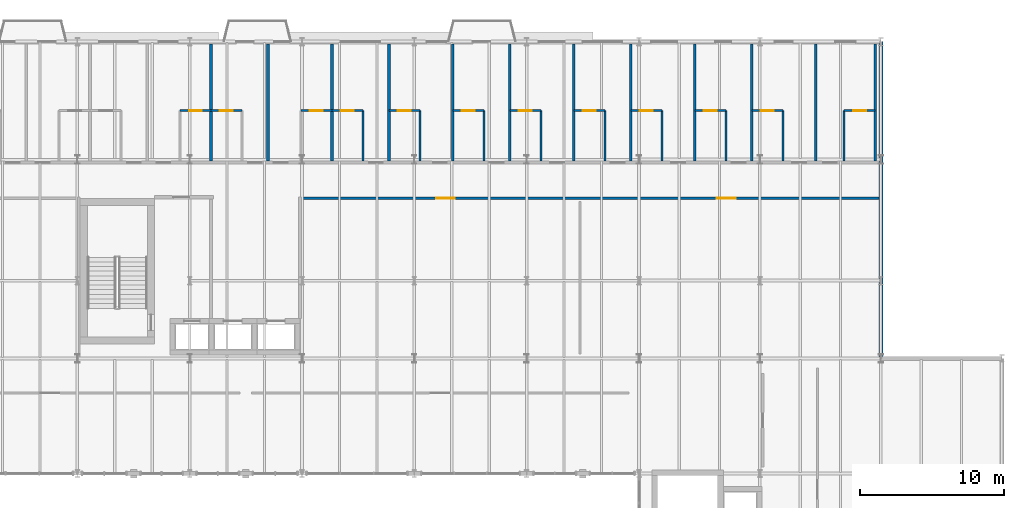
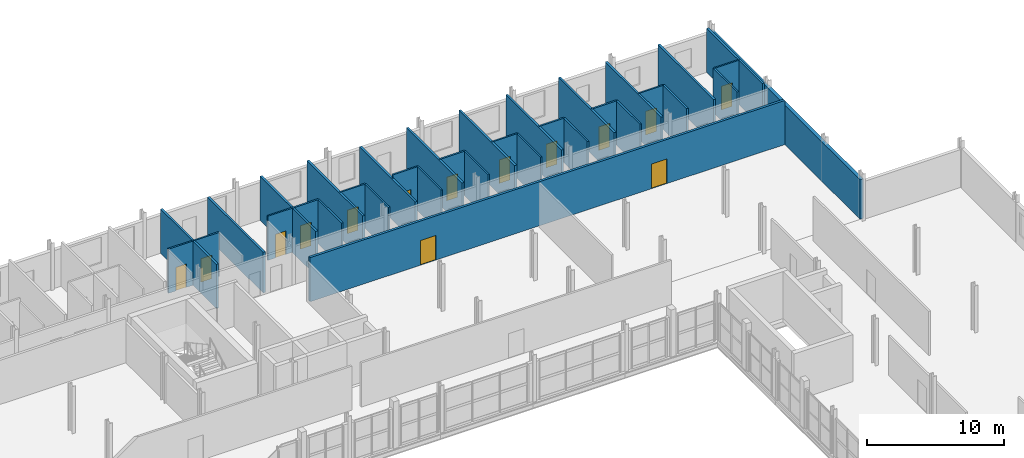
# One storey, part 39 of 45: 35 walls, 14 doors, 14 openings.
"""IFC4 building model written with IfcOpenShell, lengths in metres."""

import ifcopenshell
import ifcopenshell.guid

model = None  # the IFC model being written
_history = None  # IfcOwnerHistory: only IFC2X3 demands one
_inside = {}  # id of a spatial element -> (the spatial element, [elements in it])
_under = {}  # id of a project, library or spatial element -> (it, [spatial elements below it])
_declared = {}  # id of a project -> (the project, [libraries it declares])
_typed = {}  # id of a type object -> (the type object, [elements of that type])
_made_of = {}  # id of a material, layer set ... -> (it, [elements and type objects made of it])


def new_model(schema):
    """Start an empty IFC model of exactly this schema.

    Asked for "IFC4X3", IfcOpenShell would pick the latest addendum, in which some entities
    have other attributes; the version numbers below select the first issue.
    IFC2X3 requires an IfcOwnerHistory on every rooted entity: one is made here for all.
    """
    global model, _history
    if schema == "IFC4X3":
        model = ifcopenshell.file(schema_version=(4, 3, 0, 0))
    else:
        model = ifcopenshell.file(schema=schema)
    _inside.clear()
    _under.clear()
    _declared.clear()
    _typed.clear()
    _made_of.clear()
    _history = None
    if model.schema == "IFC2X3":
        org = make("IfcOrganization", Name="unknown")
        user = make(
            "IfcPersonAndOrganization",
            ThePerson=make("IfcPerson", FamilyName="unknown"),
            TheOrganization=org,
        )
        app = make(
            "IfcApplication",
            ApplicationDeveloper=org,
            Version="unknown",
            ApplicationFullName="unknown",
            ApplicationIdentifier="unknown",
        )
        _history = make(
            "IfcOwnerHistory",
            OwningUser=user,
            OwningApplication=app,
            ChangeAction="ADDED",
            CreationDate=0,
        )
    return model


def make(cls, **values):
    """One entity of the class cls with the attributes given. An attribute that is None is left unset."""
    return model.create_entity(
        cls, **{name: value for name, value in values.items() if value is not None}
    )


def rooted(cls, **values):
    """An entity with a GlobalId (a new one), such as an element, a storey or a relation."""
    return make(cls, GlobalId=ifcopenshell.guid.new(), OwnerHistory=_history, **values)


def si_unit(unit_type, name, prefix=None):
    """IfcSIUnit, for example si_unit("LENGTHUNIT", "METRE", prefix="MILLI")."""
    return make("IfcSIUnit", UnitType=unit_type, Prefix=prefix, Name=name)


def assignment(units):
    """IfcUnitAssignment: the units of a project."""
    return None if units is None else make("IfcUnitAssignment", Units=units)


def point(xyz):
    """IfcCartesianPoint."""
    return None if xyz is None else make("IfcCartesianPoint", Coordinates=xyz)


def direction(xyz):
    """IfcDirection."""
    return None if xyz is None else make("IfcDirection", DirectionRatios=xyz)


def frame(location, z_axis=None, x_axis=None):
    """IfcAxis2Placement3D, a coordinate frame: its origin and axes. An axis left out is left unset."""
    return make(
        "IfcAxis2Placement3D",
        Location=point(location),
        Axis=direction(z_axis),
        RefDirection=direction(x_axis),
    )


def frame_2d(location, x_axis=None):
    """IfcAxis2Placement2D, a coordinate frame in the plane: its origin and x axis."""
    return make(
        "IfcAxis2Placement2D", Location=point(location), RefDirection=direction(x_axis)
    )


def origin():
    """The frame at (0, 0, 0) with its axes left unset."""
    return frame((0.0, 0.0, 0.0))


def place(relative_to, where):
    """IfcLocalPlacement: puts the frame where relative to a parent placement (None: the world)."""
    return make(
        "IfcLocalPlacement", PlacementRelTo=relative_to, RelativePlacement=where
    )


def context(
    kind, dimensions, precision=None, world=None, true_north=None, identifier=None
):
    """IfcGeometricRepresentationContext, for example the 3D "Model" context."""
    return make(
        "IfcGeometricRepresentationContext",
        ContextIdentifier=identifier,
        ContextType=kind,
        CoordinateSpaceDimension=dimensions,
        Precision=precision,
        WorldCoordinateSystem=world,
        TrueNorth=true_north,
    )


def subcontext(parent, identifier, kind, view, scale=None):
    """IfcGeometricRepresentationSubContext, for example "Body" below "Model"."""
    return make(
        "IfcGeometricRepresentationSubContext",
        ContextIdentifier=identifier,
        ContextType=kind,
        ParentContext=parent,
        TargetScale=scale,
        TargetView=view,
    )


def project(units=None, contexts=None):
    """IfcProject with its units and contexts."""
    return rooted(
        "IfcProject",
        Name="project",
        RepresentationContexts=contexts,
        UnitsInContext=assignment(units),
    )


def spatial(cls, under=None, at=None, **own):
    """A site, building, storey or space (cls), placed at a placement, below another one or the project."""
    s = rooted(cls, ObjectPlacement=at, **own)
    if under is not None:
        _under.setdefault(under.id(), (under, []))[1].append(s)
    return s


def profile(cls, at=None, kind="AREA", **sizes):
    """A parametric profile (cls). Its sizes go by their IFC names, for example OverallWidth=200.0."""
    return make(cls, ProfileType=kind, Position=at, **sizes)


def rectangle(**sizes):
    """IfcRectangleProfileDef."""
    return profile("IfcRectangleProfileDef", **sizes)


def extrude(swept, where, along, depth):
    """IfcExtrudedAreaSolid: the profile swept, set in the frame where, extruded along a direction by depth."""
    return make(
        "IfcExtrudedAreaSolid",
        SweptArea=swept,
        Position=where,
        ExtrudedDirection=direction(along),
        Depth=depth,
    )


def shape(context_of_items, identifier, shape_type, items):
    """IfcShapeRepresentation: the items that make up one representation, for example the "Body"."""
    return make(
        "IfcShapeRepresentation",
        ContextOfItems=context_of_items,
        RepresentationIdentifier=identifier,
        RepresentationType=shape_type,
        Items=items,
    )


def material(Name=None, Category=None):
    """IfcMaterial."""
    return make("IfcMaterial", Name=Name, Category=Category)


def layer(
    of_material, thickness, ventilated=None, Name=None, Category=None, Priority=None
):
    """IfcMaterialLayer: one layer of a wall or slab, of a material (None: an air gap)."""
    return make(
        "IfcMaterialLayer",
        Material=of_material,
        LayerThickness=thickness,
        IsVentilated=ventilated,
        Name=Name,
        Category=Category,
        Priority=Priority,
    )


def layer_set(layers, Name=None):
    """IfcMaterialLayerSet."""
    return make("IfcMaterialLayerSet", MaterialLayers=layers, LayerSetName=Name)


def made_of(thing, what):
    """Note that an element or type object is made of a material, layer set ...; save() writes the relation."""
    if what is not None:
        _made_of.setdefault(what.id(), (what, []))[1].append(thing)
    return thing


def type_object(cls, material=None, **own):
    """A type object (cls), such as IfcWallType, which elements share."""
    return made_of(rooted(cls, **own), material)


def element(
    cls,
    number,
    at=None,
    inside=None,
    cuts=None,
    type_object=None,
    material=None,
    context=None,
    identifier="Body",
    shape_type=None,
    held_by="IfcProductDefinitionShape",
    body=None,
    shapes=None,
    **own,
):
    """One element of the class cls, such as IfcWall. Its Tag is "e" and its number.

    at: its placement. inside: the storey or other place that contains it. cuts: it is an
    opening in that element (IfcRelVoidsElement). A single representation is given by context,
    identifier, shape_type and body (its items); several are given by shapes. held_by: the class
    of the entity that holds the representations. save() writes the other relations.
    """
    e = rooted(cls, Tag="e%d" % number, ObjectPlacement=at, **own)
    if body is not None:
        shapes = [shape(context, identifier, shape_type, body)]
    if shapes is not None:
        e.Representation = make(held_by, Representations=shapes)
    if inside is not None:
        _inside.setdefault(inside.id(), (inside, []))[1].append(e)
    if cuts is not None:
        rooted(
            "IfcRelVoidsElement", RelatingBuildingElement=cuts, RelatedOpeningElement=e
        )
    if type_object is not None:
        _typed.setdefault(type_object.id(), (type_object, []))[1].append(e)
    return made_of(e, material)


def fill(opening, filler):
    """IfcRelFillsElement: the door or window that sits in an opening."""
    return rooted(
        "IfcRelFillsElement",
        RelatingOpeningElement=opening,
        RelatedBuildingElement=filler,
    )


def aggregate(whole, parts):
    """IfcRelAggregates: a whole, such as a stair, and the parts it consists of."""
    return rooted("IfcRelAggregates", RelatingObject=whole, RelatedObjects=parts)


def save(model, path):
    """Write the relations noted so far, then the file.

    IfcRelAggregates (storeys below a building ...), IfcRelContainedInSpatialStructure (elements
    in a storey), IfcRelDefinesByType, IfcRelAssociatesMaterial and IfcRelDeclares: one each for
    every whole, place, type object, material and project.
    """
    for whole, parts in _under.values():
        aggregate(whole, parts)
    for where, things in _inside.values():
        rooted(
            "IfcRelContainedInSpatialStructure",
            RelatedElements=things,
            RelatingStructure=where,
        )
    for kind, things in _typed.values():
        rooted("IfcRelDefinesByType", RelatedObjects=things, RelatingType=kind)
    for what, things in _made_of.values():
        rooted("IfcRelAssociatesMaterial", RelatedObjects=things, RelatingMaterial=what)
    for by, libraries in _declared.values():
        rooted("IfcRelDeclares", RelatingContext=by, RelatedDefinitions=libraries)
    model.write(path)


model = new_model("IFC4")

# Units and contexts
model_context = context("Model", 3, precision=1e-05, world=origin(), true_north=direction((0.0, 1.0)))
body_context = subcontext(model_context, "Body", "Model", "MODEL_VIEW")
ifc_project = project(units=[si_unit("LENGTHUNIT", "METRE"), si_unit("AREAUNIT", "SQUARE_METRE"), si_unit("VOLUMEUNIT", "CUBIC_METRE"), si_unit("PLANEANGLEUNIT", "RADIAN"), si_unit("MASSUNIT", "GRAM", prefix="KILO")], contexts=[model_context])

# Site, building, storey
site_placement = place(None, origin())
site = spatial("IfcSite", under=ifc_project, at=site_placement, CompositionType="ELEMENT")
building_placement = place(site_placement, origin())
building = spatial("IfcBuilding", under=site, at=building_placement, Name="Sefraquen Railside Congress Hotel", CompositionType="ELEMENT")
storey_placement = place(building_placement, frame((0.0, 0.0, 20.39990234375)))
storey = spatial("IfcBuildingStorey", under=building, at=storey_placement, Name="L04", CompositionType="ELEMENT", Elevation=20.39990234375)

# Wall
ifc_material_1 = material(Name="Ochre Rabat calcarenite limestone and Concrete C40/50 backing", Category="masonry")
ifc_layer_1 = layer(ifc_material_1, 0.280029296875)
ifc_layer_set_1 = layer_set([ifc_layer_1], Name="Ochre Rabat calcarenite limestone and Concrete C40/50 backing")
wall_type_1 = type_object("IfcWallType", Name="TW-EW-280", PredefinedType="STANDARD", material=ifc_layer_set_1)
wall_1_placement = place(storey_placement, frame((120.0, 96.0, 0.0), z_axis=(0.0, 0.0, 1.0), x_axis=(0.0, 1.0, 0.0)))
element("IfcWall", 1, at=wall_1_placement, inside=storey, type_object=wall_type_1, Name="Hotel L04 east gable facade wall", PredefinedType="STANDARD", context=body_context, shape_type="SweptSolid", body=[
    extrude(rectangle(XDim=22.0, YDim=0.280029296875, at=frame_2d((11.0, 0.0))), origin(), (0.0, 0.0, 1.0), 3.530029296875),
])

# Wall, opening, door
ifc_material_2 = material(Name="Moisture-resistant gypsum board", Category="gypsum")
ifc_layer_2 = layer(ifc_material_2, 0.139892578125)
ifc_layer_set_2 = layer_set([ifc_layer_2], Name="Moisture-resistant gypsum board")
wall_type_2 = type_object("IfcWallType", Name="TW-PW-140", PredefinedType="PARTITIONING", material=ifc_layer_set_2)
wall_2_placement = place(storey_placement, frame((71.330078125, 113.199951171875, 0.0), z_axis=(0.0, 0.0, 1.0), x_axis=(1.0, 0.0, 0.0)))
wall_2 = element("IfcWall", 2, at=wall_2_placement, inside=storey, type_object=wall_type_2, Name="En-suite bathroom north wall RM-012", PredefinedType="PARTITIONING", context=body_context, shape_type="SweptSolid", body=[
    extrude(rectangle(XDim=2.14990234375, YDim=0.139892578125, at=frame_2d((1.074951171875, 0.0))), origin(), (0.0, 0.0, 1.0), 3.940185546875),
])
opening_1_placement = place(wall_2_placement, frame((0.625, 0.0, 0.0)))
opening_1 = element("IfcOpeningElement", 3, at=opening_1_placement, cuts=wall_2, Name="Opening ID-02", PredefinedType="OPENING", context=body_context, shape_type="SweptSolid", body=[
    extrude(rectangle(XDim=0.89990234375, YDim=2.10009765625, at=frame_2d((0.449951171875, 1.050048828125))), frame((0.0, 0.079833984375, 0.0), z_axis=(0.0, -1.0, 0.0), x_axis=(1.0, 0.0, 0.0)), (0.0, 0.0, 1.0), 0.159912109375),
])
ifc_material_3 = material(Name="Lacquered cedar joinery", Category="wood")
door_type_1 = type_object("IfcDoorType", Name="TD-ID-02", OperationType="NOTDEFINED", PredefinedType="DOOR", material=ifc_material_3)
door_1_placement = place(opening_1_placement, origin())
door_1 = element("IfcDoor", 4, at=door_1_placement, inside=storey, type_object=door_type_1, Name="En-suite bathroom door RM-012", OperationType="SINGLE_SWING_RIGHT", OverallHeight=2.10009765625, OverallWidth=0.89990234375, PredefinedType="DOOR", context=body_context, shape_type="SweptSolid", body=[
    extrude(rectangle(XDim=0.89990234375, YDim=2.10009765625, at=frame_2d((0.449951171875, 1.050048828125))), frame((0.0, 0.02490234375, 0.0), z_axis=(0.0, -1.0, 0.0), x_axis=(1.0, 0.0, 0.0)), (0.0, 0.0, 1.0), 0.050048828125),
])
fill(opening_1, door_1)

wall_3_placement = place(storey_placement, frame((73.47998046875, 113.199951171875, 0.0), z_axis=(0.0, 0.0, 1.0), x_axis=(1.0, 0.0, 0.0)))
wall_3 = element("IfcWall", 5, at=wall_3_placement, inside=storey, type_object=wall_type_2, Name="En-suite bathroom north wall RM-013", PredefinedType="PARTITIONING", context=body_context, shape_type="SweptSolid", body=[
    extrude(rectangle(XDim=2.14990234375, YDim=0.139892578125, at=frame_2d((1.074951171875, 0.0))), origin(), (0.0, 0.0, 1.0), 3.940185546875),
])
opening_2_placement = place(wall_3_placement, frame((0.625, 0.0, 0.0)))
opening_2 = element("IfcOpeningElement", 6, at=opening_2_placement, cuts=wall_3, Name="Opening ID-02", PredefinedType="OPENING", context=body_context, shape_type="SweptSolid", body=[
    extrude(rectangle(XDim=0.89990234375, YDim=2.10009765625, at=frame_2d((0.449951171875, 1.050048828125))), frame((0.0, 0.079833984375, 0.0), z_axis=(0.0, -1.0, 0.0), x_axis=(1.0, 0.0, 0.0)), (0.0, 0.0, 1.0), 0.159912109375),
])
door_2_placement = place(opening_2_placement, origin())
door_2 = element("IfcDoor", 7, at=door_2_placement, inside=storey, type_object=door_type_1, Name="En-suite bathroom door RM-013", OperationType="SINGLE_SWING_RIGHT", OverallHeight=2.10009765625, OverallWidth=0.89990234375, PredefinedType="DOOR", context=body_context, shape_type="SweptSolid", body=[
    extrude(rectangle(XDim=0.89990234375, YDim=2.10009765625, at=frame_2d((0.449951171875, 1.050048828125))), frame((0.0, 0.02490234375, 0.0), z_axis=(0.0, -1.0, 0.0), x_axis=(1.0, 0.0, 0.0)), (0.0, 0.0, 1.0), 0.050048828125),
])
fill(opening_2, door_2)

wall_4_placement = place(storey_placement, frame((79.72998046875, 113.199951171875, 0.0), z_axis=(0.0, 0.0, 1.0), x_axis=(1.0, 0.0, 0.0)))
wall_4 = element("IfcWall", 8, at=wall_4_placement, inside=storey, type_object=wall_type_2, Name="En-suite bathroom north wall RM-014", PredefinedType="PARTITIONING", context=body_context, shape_type="SweptSolid", body=[
    extrude(rectangle(XDim=2.14990234375, YDim=0.139892578125, at=frame_2d((1.074951171875, 0.0))), origin(), (0.0, 0.0, 1.0), 3.940185546875),
])
opening_3_placement = place(wall_4_placement, frame((0.625, 0.0, 0.0)))
opening_3 = element("IfcOpeningElement", 9, at=opening_3_placement, cuts=wall_4, Name="Opening ID-02", PredefinedType="OPENING", context=body_context, shape_type="SweptSolid", body=[
    extrude(rectangle(XDim=0.89990234375, YDim=2.10009765625, at=frame_2d((0.449951171875, 1.050048828125))), frame((0.0, 0.079833984375, 0.0), z_axis=(0.0, -1.0, 0.0), x_axis=(1.0, 0.0, 0.0)), (0.0, 0.0, 1.0), 0.159912109375),
])
door_3_placement = place(opening_3_placement, origin())
door_3 = element("IfcDoor", 10, at=door_3_placement, inside=storey, type_object=door_type_1, Name="En-suite bathroom door RM-014", OperationType="SINGLE_SWING_RIGHT", OverallHeight=2.10009765625, OverallWidth=0.89990234375, PredefinedType="DOOR", context=body_context, shape_type="SweptSolid", body=[
    extrude(rectangle(XDim=0.89990234375, YDim=2.10009765625, at=frame_2d((0.449951171875, 1.050048828125))), frame((0.0, 0.02490234375, 0.0), z_axis=(0.0, -1.0, 0.0), x_axis=(1.0, 0.0, 0.0)), (0.0, 0.0, 1.0), 0.050048828125),
])
fill(opening_3, door_3)

# Wall
wall_5_placement = place(storey_placement, frame((84.030029296875, 109.699951171875, 0.0), z_axis=(0.0, 0.0, 1.0), x_axis=(0.0, 1.0, 0.0)))
element("IfcWall", 11, at=wall_5_placement, inside=storey, type_object=wall_type_2, Name="En-suite bathroom east wall RM-015", PredefinedType="PARTITIONING", context=body_context, shape_type="SweptSolid", body=[
    extrude(rectangle(XDim=3.5, YDim=0.139892578125, at=frame_2d((1.75, 0.0))), origin(), (0.0, 0.0, 1.0), 3.940185546875),
])

# Wall, opening, door
wall_6_placement = place(storey_placement, frame((81.8798828125, 113.199951171875, 0.0), z_axis=(0.0, 0.0, 1.0), x_axis=(1.0, 0.0, 0.0)))
wall_6 = element("IfcWall", 12, at=wall_6_placement, inside=storey, type_object=wall_type_2, Name="En-suite bathroom north wall RM-015", PredefinedType="PARTITIONING", context=body_context, shape_type="SweptSolid", body=[
    extrude(rectangle(XDim=2.150146484375, YDim=0.139892578125, at=frame_2d((1.0751953125, 0.0))), origin(), (0.0, 0.0, 1.0), 3.940185546875),
])
opening_4_placement = place(wall_6_placement, frame((0.625, 0.0, 0.0)))
opening_4 = element("IfcOpeningElement", 13, at=opening_4_placement, cuts=wall_6, Name="Opening ID-02", PredefinedType="OPENING", context=body_context, shape_type="SweptSolid", body=[
    extrude(rectangle(XDim=0.89990234375, YDim=2.10009765625, at=frame_2d((0.449951171875, 1.050048828125))), frame((0.0, 0.079833984375, 0.0), z_axis=(0.0, -1.0, 0.0), x_axis=(1.0, 0.0, 0.0)), (0.0, 0.0, 1.0), 0.159912109375),
])
door_4_placement = place(opening_4_placement, origin())
door_4 = element("IfcDoor", 14, at=door_4_placement, inside=storey, type_object=door_type_1, Name="En-suite bathroom door RM-015", OperationType="SINGLE_SWING_RIGHT", OverallHeight=2.10009765625, OverallWidth=0.89990234375, PredefinedType="DOOR", context=body_context, shape_type="SweptSolid", body=[
    extrude(rectangle(XDim=0.89990234375, YDim=2.10009765625, at=frame_2d((0.449951171875, 1.050048828125))), frame((0.0, 0.02490234375, 0.0), z_axis=(0.0, -1.0, 0.0), x_axis=(1.0, 0.0, 0.0)), (0.0, 0.0, 1.0), 0.050048828125),
])
fill(opening_4, door_4)

# Wall
wall_7_placement = place(storey_placement, frame((87.989990234375, 109.699951171875, 0.0), z_axis=(0.0, 0.0, 1.0), x_axis=(0.0, 1.0, 0.0)))
element("IfcWall", 15, at=wall_7_placement, inside=storey, type_object=wall_type_2, Name="En-suite bathroom east wall RM-016", PredefinedType="PARTITIONING", context=body_context, shape_type="SweptSolid", body=[
    extrude(rectangle(XDim=3.5, YDim=0.139892578125, at=frame_2d((1.75, 0.0))), origin(), (0.0, 0.0, 1.0), 3.940185546875),
])

# Wall, opening, door
wall_8_placement = place(storey_placement, frame((85.840087890625, 113.199951171875, 0.0), z_axis=(0.0, 0.0, 1.0), x_axis=(1.0, 0.0, 0.0)))
wall_8 = element("IfcWall", 16, at=wall_8_placement, inside=storey, type_object=wall_type_2, Name="En-suite bathroom north wall RM-016", PredefinedType="PARTITIONING", context=body_context, shape_type="SweptSolid", body=[
    extrude(rectangle(XDim=2.14990234375, YDim=0.139892578125, at=frame_2d((1.074951171875, 0.0))), origin(), (0.0, 0.0, 1.0), 3.940185546875),
])
opening_5_placement = place(wall_8_placement, frame((0.625, 0.0, 0.0)))
opening_5 = element("IfcOpeningElement", 17, at=opening_5_placement, cuts=wall_8, Name="Opening ID-02", PredefinedType="OPENING", context=body_context, shape_type="SweptSolid", body=[
    extrude(rectangle(XDim=0.89990234375, YDim=2.10009765625, at=frame_2d((0.449951171875, 1.050048828125))), frame((0.0, 0.079833984375, 0.0), z_axis=(0.0, -1.0, 0.0), x_axis=(1.0, 0.0, 0.0)), (0.0, 0.0, 1.0), 0.159912109375),
])
door_5_placement = place(opening_5_placement, origin())
door_5 = element("IfcDoor", 18, at=door_5_placement, inside=storey, type_object=door_type_1, Name="En-suite bathroom door RM-016", OperationType="SINGLE_SWING_RIGHT", OverallHeight=2.10009765625, OverallWidth=0.89990234375, PredefinedType="DOOR", context=body_context, shape_type="SweptSolid", body=[
    extrude(rectangle(XDim=0.89990234375, YDim=2.10009765625, at=frame_2d((0.449951171875, 1.050048828125))), frame((0.0, 0.02490234375, 0.0), z_axis=(0.0, -1.0, 0.0), x_axis=(1.0, 0.0, 0.0)), (0.0, 0.0, 1.0), 0.050048828125),
])
fill(opening_5, door_5)

# Wall
wall_9_placement = place(storey_placement, frame((92.429931640625, 109.699951171875, 0.0), z_axis=(0.0, 0.0, 1.0), x_axis=(0.0, 1.0, 0.0)))
element("IfcWall", 19, at=wall_9_placement, inside=storey, type_object=wall_type_2, Name="En-suite bathroom east wall RM-017", PredefinedType="PARTITIONING", context=body_context, shape_type="SweptSolid", body=[
    extrude(rectangle(XDim=3.5, YDim=0.139892578125, at=frame_2d((1.75, 0.0))), origin(), (0.0, 0.0, 1.0), 3.940185546875),
])

# Wall, opening, door
wall_10_placement = place(storey_placement, frame((90.280029296875, 113.199951171875, 0.0), z_axis=(0.0, 0.0, 1.0), x_axis=(1.0, 0.0, 0.0)))
wall_10 = element("IfcWall", 20, at=wall_10_placement, inside=storey, type_object=wall_type_2, Name="En-suite bathroom north wall RM-017", PredefinedType="PARTITIONING", context=body_context, shape_type="SweptSolid", body=[
    extrude(rectangle(XDim=2.14990234375, YDim=0.139892578125, at=frame_2d((1.074951171875, 0.0))), origin(), (0.0, 0.0, 1.0), 3.940185546875),
])
opening_6_placement = place(wall_10_placement, frame((0.625, 0.0, 0.0)))
opening_6 = element("IfcOpeningElement", 21, at=opening_6_placement, cuts=wall_10, Name="Opening ID-02", PredefinedType="OPENING", context=body_context, shape_type="SweptSolid", body=[
    extrude(rectangle(XDim=0.89990234375, YDim=2.10009765625, at=frame_2d((0.449951171875, 1.050048828125))), frame((0.0, 0.079833984375, 0.0), z_axis=(0.0, -1.0, 0.0), x_axis=(1.0, 0.0, 0.0)), (0.0, 0.0, 1.0), 0.159912109375),
])
door_6_placement = place(opening_6_placement, origin())
door_6 = element("IfcDoor", 22, at=door_6_placement, inside=storey, type_object=door_type_1, Name="En-suite bathroom door RM-017", OperationType="SINGLE_SWING_RIGHT", OverallHeight=2.10009765625, OverallWidth=0.89990234375, PredefinedType="DOOR", context=body_context, shape_type="SweptSolid", body=[
    extrude(rectangle(XDim=0.89990234375, YDim=2.10009765625, at=frame_2d((0.449951171875, 1.050048828125))), frame((0.0, 0.02490234375, 0.0), z_axis=(0.0, -1.0, 0.0), x_axis=(1.0, 0.0, 0.0)), (0.0, 0.0, 1.0), 0.050048828125),
])
fill(opening_6, door_6)

# Wall
wall_11_placement = place(storey_placement, frame((96.389892578125, 109.699951171875, 0.0), z_axis=(0.0, 0.0, 1.0), x_axis=(0.0, 1.0, 0.0)))
element("IfcWall", 23, at=wall_11_placement, inside=storey, type_object=wall_type_2, Name="En-suite bathroom east wall RM-018", PredefinedType="PARTITIONING", context=body_context, shape_type="SweptSolid", body=[
    extrude(rectangle(XDim=3.5, YDim=0.139892578125, at=frame_2d((1.75, 0.0))), origin(), (0.0, 0.0, 1.0), 3.940185546875),
])

# Wall, opening, door
wall_12_placement = place(storey_placement, frame((94.239990234375, 113.199951171875, 0.0), z_axis=(0.0, 0.0, 1.0), x_axis=(1.0, 0.0, 0.0)))
wall_12 = element("IfcWall", 24, at=wall_12_placement, inside=storey, type_object=wall_type_2, Name="En-suite bathroom north wall RM-018", PredefinedType="PARTITIONING", context=body_context, shape_type="SweptSolid", body=[
    extrude(rectangle(XDim=2.14990234375, YDim=0.139892578125, at=frame_2d((1.074951171875, 0.0))), origin(), (0.0, 0.0, 1.0), 3.940185546875),
])
opening_7_placement = place(wall_12_placement, frame((0.625, 0.0, 0.0)))
opening_7 = element("IfcOpeningElement", 25, at=opening_7_placement, cuts=wall_12, Name="Opening ID-02", PredefinedType="OPENING", context=body_context, shape_type="SweptSolid", body=[
    extrude(rectangle(XDim=0.89990234375, YDim=2.10009765625, at=frame_2d((0.449951171875, 1.050048828125))), frame((0.0, 0.079833984375, 0.0), z_axis=(0.0, -1.0, 0.0), x_axis=(1.0, 0.0, 0.0)), (0.0, 0.0, 1.0), 0.159912109375),
])
door_7_placement = place(opening_7_placement, origin())
door_7 = element("IfcDoor", 26, at=door_7_placement, inside=storey, type_object=door_type_1, Name="En-suite bathroom door RM-018", OperationType="SINGLE_SWING_RIGHT", OverallHeight=2.10009765625, OverallWidth=0.89990234375, PredefinedType="DOOR", context=body_context, shape_type="SweptSolid", body=[
    extrude(rectangle(XDim=0.89990234375, YDim=2.10009765625, at=frame_2d((0.449951171875, 1.050048828125))), frame((0.0, 0.02490234375, 0.0), z_axis=(0.0, -1.0, 0.0), x_axis=(1.0, 0.0, 0.0)), (0.0, 0.0, 1.0), 0.050048828125),
])
fill(opening_7, door_7)

# Wall
wall_13_placement = place(storey_placement, frame((100.830078125, 109.699951171875, 0.0), z_axis=(0.0, 0.0, 1.0), x_axis=(0.0, 1.0, 0.0)))
element("IfcWall", 27, at=wall_13_placement, inside=storey, type_object=wall_type_2, Name="En-suite bathroom east wall RM-019", PredefinedType="PARTITIONING", context=body_context, shape_type="SweptSolid", body=[
    extrude(rectangle(XDim=3.5, YDim=0.139892578125, at=frame_2d((1.75, 0.0))), origin(), (0.0, 0.0, 1.0), 3.940185546875),
])

# Wall, opening, door
wall_14_placement = place(storey_placement, frame((98.679931640625, 113.199951171875, 0.0), z_axis=(0.0, 0.0, 1.0), x_axis=(1.0, 0.0, 0.0)))
wall_14 = element("IfcWall", 28, at=wall_14_placement, inside=storey, type_object=wall_type_2, Name="En-suite bathroom north wall RM-019", PredefinedType="PARTITIONING", context=body_context, shape_type="SweptSolid", body=[
    extrude(rectangle(XDim=2.150146484375, YDim=0.139892578125, at=frame_2d((1.0751953125, 0.0))), origin(), (0.0, 0.0, 1.0), 3.940185546875),
])
opening_8_placement = place(wall_14_placement, frame((0.625, 0.0, 0.0)))
opening_8 = element("IfcOpeningElement", 29, at=opening_8_placement, cuts=wall_14, Name="Opening ID-02", PredefinedType="OPENING", context=body_context, shape_type="SweptSolid", body=[
    extrude(rectangle(XDim=0.89990234375, YDim=2.10009765625, at=frame_2d((0.449951171875, 1.050048828125))), frame((0.0, 0.079833984375, 0.0), z_axis=(0.0, -1.0, 0.0), x_axis=(1.0, 0.0, 0.0)), (0.0, 0.0, 1.0), 0.159912109375),
])
door_8_placement = place(opening_8_placement, origin())
door_8 = element("IfcDoor", 30, at=door_8_placement, inside=storey, type_object=door_type_1, Name="En-suite bathroom door RM-019", OperationType="SINGLE_SWING_RIGHT", OverallHeight=2.10009765625, OverallWidth=0.89990234375, PredefinedType="DOOR", context=body_context, shape_type="SweptSolid", body=[
    extrude(rectangle(XDim=0.89990234375, YDim=2.10009765625, at=frame_2d((0.449951171875, 1.050048828125))), frame((0.0, 0.02490234375, 0.0), z_axis=(0.0, -1.0, 0.0), x_axis=(1.0, 0.0, 0.0)), (0.0, 0.0, 1.0), 0.050048828125),
])
fill(opening_8, door_8)

# Wall
wall_15_placement = place(storey_placement, frame((104.7900390625, 109.699951171875, 0.0), z_axis=(0.0, 0.0, 1.0), x_axis=(0.0, 1.0, 0.0)))
element("IfcWall", 31, at=wall_15_placement, inside=storey, type_object=wall_type_2, Name="En-suite bathroom east wall RM-020", PredefinedType="PARTITIONING", context=body_context, shape_type="SweptSolid", body=[
    extrude(rectangle(XDim=3.5, YDim=0.139892578125, at=frame_2d((1.75, 0.0))), origin(), (0.0, 0.0, 1.0), 3.940185546875),
])

# Wall, opening, door
wall_16_placement = place(storey_placement, frame((102.639892578125, 113.199951171875, 0.0), z_axis=(0.0, 0.0, 1.0), x_axis=(1.0, 0.0, 0.0)))
wall_16 = element("IfcWall", 32, at=wall_16_placement, inside=storey, type_object=wall_type_2, Name="En-suite bathroom north wall RM-020", PredefinedType="PARTITIONING", context=body_context, shape_type="SweptSolid", body=[
    extrude(rectangle(XDim=2.150146484375, YDim=0.139892578125, at=frame_2d((1.0751953125, 0.0))), origin(), (0.0, 0.0, 1.0), 3.940185546875),
])
opening_9_placement = place(wall_16_placement, frame((0.625, 0.0, 0.0)))
opening_9 = element("IfcOpeningElement", 33, at=opening_9_placement, cuts=wall_16, Name="Opening ID-02", PredefinedType="OPENING", context=body_context, shape_type="SweptSolid", body=[
    extrude(rectangle(XDim=0.89990234375, YDim=2.10009765625, at=frame_2d((0.449951171875, 1.050048828125))), frame((0.0, 0.079833984375, 0.0), z_axis=(0.0, -1.0, 0.0), x_axis=(1.0, 0.0, 0.0)), (0.0, 0.0, 1.0), 0.159912109375),
])
door_9_placement = place(opening_9_placement, origin())
door_9 = element("IfcDoor", 34, at=door_9_placement, inside=storey, type_object=door_type_1, Name="En-suite bathroom door RM-020", OperationType="SINGLE_SWING_RIGHT", OverallHeight=2.10009765625, OverallWidth=0.89990234375, PredefinedType="DOOR", context=body_context, shape_type="SweptSolid", body=[
    extrude(rectangle(XDim=0.89990234375, YDim=2.10009765625, at=frame_2d((0.449951171875, 1.050048828125))), frame((0.0, 0.02490234375, 0.0), z_axis=(0.0, -1.0, 0.0), x_axis=(1.0, 0.0, 0.0)), (0.0, 0.0, 1.0), 0.050048828125),
])
fill(opening_9, door_9)

# Wall
wall_17_placement = place(storey_placement, frame((109.22998046875, 109.699951171875, 0.0), z_axis=(0.0, 0.0, 1.0), x_axis=(0.0, 1.0, 0.0)))
element("IfcWall", 35, at=wall_17_placement, inside=storey, type_object=wall_type_2, Name="En-suite bathroom east wall RM-021", PredefinedType="PARTITIONING", context=body_context, shape_type="SweptSolid", body=[
    extrude(rectangle(XDim=3.5, YDim=0.139892578125, at=frame_2d((1.75, 0.0))), origin(), (0.0, 0.0, 1.0), 3.940185546875),
])

# Wall, opening, door
wall_18_placement = place(storey_placement, frame((107.080078125, 113.199951171875, 0.0), z_axis=(0.0, 0.0, 1.0), x_axis=(1.0, 0.0, 0.0)))
wall_18 = element("IfcWall", 36, at=wall_18_placement, inside=storey, type_object=wall_type_2, Name="En-suite bathroom north wall RM-021", PredefinedType="PARTITIONING", context=body_context, shape_type="SweptSolid", body=[
    extrude(rectangle(XDim=2.14990234375, YDim=0.139892578125, at=frame_2d((1.074951171875, 0.0))), origin(), (0.0, 0.0, 1.0), 3.940185546875),
])
opening_10_placement = place(wall_18_placement, frame((0.625, 0.0, 0.0)))
opening_10 = element("IfcOpeningElement", 37, at=opening_10_placement, cuts=wall_18, Name="Opening ID-02", PredefinedType="OPENING", context=body_context, shape_type="SweptSolid", body=[
    extrude(rectangle(XDim=0.89990234375, YDim=2.10009765625, at=frame_2d((0.449951171875, 1.050048828125))), frame((0.0, 0.079833984375, 0.0), z_axis=(0.0, -1.0, 0.0), x_axis=(1.0, 0.0, 0.0)), (0.0, 0.0, 1.0), 0.159912109375),
])
door_10_placement = place(opening_10_placement, origin())
door_10 = element("IfcDoor", 38, at=door_10_placement, inside=storey, type_object=door_type_1, Name="En-suite bathroom door RM-021", OperationType="SINGLE_SWING_RIGHT", OverallHeight=2.10009765625, OverallWidth=0.89990234375, PredefinedType="DOOR", context=body_context, shape_type="SweptSolid", body=[
    extrude(rectangle(XDim=0.89990234375, YDim=2.10009765625, at=frame_2d((0.449951171875, 1.050048828125))), frame((0.0, 0.02490234375, 0.0), z_axis=(0.0, -1.0, 0.0), x_axis=(1.0, 0.0, 0.0)), (0.0, 0.0, 1.0), 0.050048828125),
])
fill(opening_10, door_10)

# Wall
wall_19_placement = place(storey_placement, frame((113.18994140625, 109.699951171875, 0.0), z_axis=(0.0, 0.0, 1.0), x_axis=(0.0, 1.0, 0.0)))
element("IfcWall", 39, at=wall_19_placement, inside=storey, type_object=wall_type_2, Name="En-suite bathroom east wall RM-022", PredefinedType="PARTITIONING", context=body_context, shape_type="SweptSolid", body=[
    extrude(rectangle(XDim=3.5, YDim=0.139892578125, at=frame_2d((1.75, 0.0))), origin(), (0.0, 0.0, 1.0), 3.940185546875),
])

# Wall, opening, door
wall_20_placement = place(storey_placement, frame((111.0400390625, 113.199951171875, 0.0), z_axis=(0.0, 0.0, 1.0), x_axis=(1.0, 0.0, 0.0)))
wall_20 = element("IfcWall", 40, at=wall_20_placement, inside=storey, type_object=wall_type_2, Name="En-suite bathroom north wall RM-022", PredefinedType="PARTITIONING", context=body_context, shape_type="SweptSolid", body=[
    extrude(rectangle(XDim=2.14990234375, YDim=0.139892578125, at=frame_2d((1.074951171875, 0.0))), origin(), (0.0, 0.0, 1.0), 3.940185546875),
])
opening_11_placement = place(wall_20_placement, frame((0.625, 0.0, 0.0)))
opening_11 = element("IfcOpeningElement", 41, at=opening_11_placement, cuts=wall_20, Name="Opening ID-02", PredefinedType="OPENING", context=body_context, shape_type="SweptSolid", body=[
    extrude(rectangle(XDim=0.89990234375, YDim=2.10009765625, at=frame_2d((0.449951171875, 1.050048828125))), frame((0.0, 0.079833984375, 0.0), z_axis=(0.0, -1.0, 0.0), x_axis=(1.0, 0.0, 0.0)), (0.0, 0.0, 1.0), 0.159912109375),
])
door_11_placement = place(opening_11_placement, origin())
door_11 = element("IfcDoor", 42, at=door_11_placement, inside=storey, type_object=door_type_1, Name="En-suite bathroom door RM-022", OperationType="SINGLE_SWING_RIGHT", OverallHeight=2.10009765625, OverallWidth=0.89990234375, PredefinedType="DOOR", context=body_context, shape_type="SweptSolid", body=[
    extrude(rectangle(XDim=0.89990234375, YDim=2.10009765625, at=frame_2d((0.449951171875, 1.050048828125))), frame((0.0, 0.02490234375, 0.0), z_axis=(0.0, -1.0, 0.0), x_axis=(1.0, 0.0, 0.0)), (0.0, 0.0, 1.0), 0.050048828125),
])
fill(opening_11, door_11)

# Wall
wall_21_placement = place(storey_placement, frame((117.449951171875, 109.699951171875, 0.0), z_axis=(0.0, 0.0, 1.0), x_axis=(0.0, 1.0, 0.0)))
element("IfcWall", 43, at=wall_21_placement, inside=storey, type_object=wall_type_2, Name="En-suite bathroom west wall RM-023", PredefinedType="PARTITIONING", context=body_context, shape_type="SweptSolid", body=[
    extrude(rectangle(XDim=3.5, YDim=0.139892578125, at=frame_2d((1.75, 0.0))), origin(), (0.0, 0.0, 1.0), 3.940185546875),
])

# Wall, opening, door
wall_22_placement = place(storey_placement, frame((117.449951171875, 113.199951171875, 0.0), z_axis=(0.0, 0.0, 1.0), x_axis=(1.0, 0.0, 0.0)))
wall_22 = element("IfcWall", 44, at=wall_22_placement, inside=storey, type_object=wall_type_2, Name="En-suite bathroom north wall RM-023", PredefinedType="PARTITIONING", context=body_context, shape_type="SweptSolid", body=[
    extrude(rectangle(XDim=2.150146484375, YDim=0.139892578125, at=frame_2d((1.0751953125, 0.0))), origin(), (0.0, 0.0, 1.0), 3.940185546875),
])
opening_12_placement = place(wall_22_placement, frame((0.625, 0.0, 0.0)))
opening_12 = element("IfcOpeningElement", 45, at=opening_12_placement, cuts=wall_22, Name="Opening ID-02", PredefinedType="OPENING", context=body_context, shape_type="SweptSolid", body=[
    extrude(rectangle(XDim=0.89990234375, YDim=2.10009765625, at=frame_2d((0.449951171875, 1.050048828125))), frame((0.0, 0.079833984375, 0.0), z_axis=(0.0, -1.0, 0.0), x_axis=(1.0, 0.0, 0.0)), (0.0, 0.0, 1.0), 0.159912109375),
])
door_12_placement = place(opening_12_placement, origin())
door_12 = element("IfcDoor", 46, at=door_12_placement, inside=storey, type_object=door_type_1, Name="En-suite bathroom door RM-023", OperationType="SINGLE_SWING_RIGHT", OverallHeight=2.10009765625, OverallWidth=0.89990234375, PredefinedType="DOOR", context=body_context, shape_type="SweptSolid", body=[
    extrude(rectangle(XDim=0.89990234375, YDim=2.10009765625, at=frame_2d((0.449951171875, 1.050048828125))), frame((0.0, 0.02490234375, 0.0), z_axis=(0.0, -1.0, 0.0), x_axis=(1.0, 0.0, 0.0)), (0.0, 0.0, 1.0), 0.050048828125),
])
fill(opening_12, door_12)

# Walls
ifc_material_4 = material(Name="Acoustic gypsum board on metal stud", Category="gypsum")
ifc_layer_3 = layer(ifc_material_4, 0.179931640625)
ifc_layer_set_3 = layer_set([ifc_layer_3], Name="Acoustic gypsum board on metal stud")
wall_type_3 = type_object("IfcWallType", Name="TW-PW-180", PredefinedType="PARTITIONING", material=ifc_layer_set_3)
wall_23_placement = place(storey_placement, frame((73.47998046875, 109.699951171875, 0.0), z_axis=(0.0, 0.0, 1.0), x_axis=(0.0, 1.0, 0.0)))
element("IfcWall", 47, at=wall_23_placement, inside=storey, type_object=wall_type_3, Name="Guest room demising wall RM-012", PredefinedType="PARTITIONING", context=body_context, shape_type="SweptSolid", body=[
    extrude(rectangle(XDim=8.150146484375, YDim=0.179931640625, at=frame_2d((4.0751953125, 0.0))), origin(), (0.0, 0.0, 1.0), 3.940185546875),
])
wall_24_placement = place(storey_placement, frame((77.43994140625, 109.699951171875, 0.0), z_axis=(0.0, 0.0, 1.0), x_axis=(0.0, 1.0, 0.0)))
element("IfcWall", 48, at=wall_24_placement, inside=storey, type_object=wall_type_3, Name="Guest room demising wall RM-013", PredefinedType="PARTITIONING", context=body_context, shape_type="SweptSolid", body=[
    extrude(rectangle(XDim=8.150146484375, YDim=0.179931640625, at=frame_2d((4.0751953125, 0.0))), origin(), (0.0, 0.0, 1.0), 3.630126953125),
])
for number, where, z_axis, x_axis, name in (
    (49, (81.8798828125, 109.699951171875, 0.0), (0.0, 0.0, 1.0), (0.0, 1.0, 0.0), "Guest room demising wall RM-014"),
    (50, (85.840087890625, 109.699951171875, 0.0), (0.0, 0.0, 1.0), (0.0, 1.0, 0.0), "Guest room demising wall RM-015"),
):
    element("IfcWall", number, at=place(storey_placement, frame(where, z_axis=z_axis, x_axis=x_axis)), inside=storey, type_object=wall_type_3, Name=name, PredefinedType="PARTITIONING", context=body_context, shape_type="SweptSolid", body=[
        extrude(rectangle(XDim=8.150146484375, YDim=0.179931640625, at=frame_2d((4.0751953125, 0.0))), origin(), (0.0, 0.0, 1.0), 3.940185546875),
    ])
wall_25_placement = place(storey_placement, frame((90.280029296875, 109.699951171875, 0.0), z_axis=(0.0, 0.0, 1.0), x_axis=(0.0, 1.0, 0.0)))
element("IfcWall", 51, at=wall_25_placement, inside=storey, type_object=wall_type_3, Name="Guest room demising wall RM-016", PredefinedType="PARTITIONING", context=body_context, shape_type="SweptSolid", body=[
    extrude(rectangle(XDim=8.150146484375, YDim=0.179931640625, at=frame_2d((4.0751953125, 0.0))), origin(), (0.0, 0.0, 1.0), 3.630126953125),
])
for number, where, z_axis, x_axis, name in (
    (52, (94.239990234375, 109.699951171875, 0.0), (0.0, 0.0, 1.0), (0.0, 1.0, 0.0), "Guest room demising wall RM-017"),
    (53, (98.679931640625, 109.699951171875, 0.0), (0.0, 0.0, 1.0), (0.0, 1.0, 0.0), "Guest room demising wall RM-018"),
    (54, (102.639892578125, 109.699951171875, 0.0), (0.0, 0.0, 1.0), (0.0, 1.0, 0.0), "Guest room demising wall RM-019"),
    (55, (107.080078125, 109.699951171875, 0.0), (0.0, 0.0, 1.0), (0.0, 1.0, 0.0), "Guest room demising wall RM-020"),
    (56, (111.0400390625, 109.699951171875, 0.0), (0.0, 0.0, 1.0), (0.0, 1.0, 0.0), "Guest room demising wall RM-021"),
    (57, (115.47998046875, 109.699951171875, 0.0), (0.0, 0.0, 1.0), (0.0, 1.0, 0.0), "Guest room demising wall RM-022"),
    (58, (119.60009765625, 109.699951171875, 0.0), (0.0, 0.0, 1.0), (0.0, 1.0, 0.0), "Guest room demising wall RM-023"),
):
    element("IfcWall", number, at=place(storey_placement, frame(where, z_axis=z_axis, x_axis=x_axis)), inside=storey, type_object=wall_type_3, Name=name, PredefinedType="PARTITIONING", context=body_context, shape_type="SweptSolid", body=[
        extrude(rectangle(XDim=8.150146484375, YDim=0.179931640625, at=frame_2d((4.0751953125, 0.0))), origin(), (0.0, 0.0, 1.0), 3.940185546875),
    ])

# Wall, openings, doors
ifc_layer_4 = layer(ifc_material_4, 0.199951171875)
ifc_layer_set_4 = layer_set([ifc_layer_4], Name="Acoustic gypsum board on metal stud")
wall_type_4 = type_object("IfcWallType", Name="TW-PW-200", PredefinedType="PARTITIONING", material=ifc_layer_set_4)
wall_26_placement = place(storey_placement, frame((79.760009765625, 107.1201171875, 0.0), z_axis=(0.0, 0.0, 1.0), x_axis=(1.0, 0.0, 0.0)))
wall_26 = element("IfcWall", 59, at=wall_26_placement, inside=storey, type_object=wall_type_4, Name="Hotel L04 south-east corridor fire-rated partition", PredefinedType="PARTITIONING", context=body_context, shape_type="SweptSolid", body=[
    extrude(rectangle(XDim=40.10009765625, YDim=0.199951171875, at=frame_2d((20.050048828125, 0.0))), origin(), (0.0, 0.0, 1.0), 3.940185546875),
])
opening_13_placement = place(wall_26_placement, frame((9.35009765625, 0.0, 0.0)))
opening_13 = element("IfcOpeningElement", 60, at=opening_13_placement, cuts=wall_26, Name="Opening MD-02", PredefinedType="OPENING", context=body_context, shape_type="SweptSolid", body=[
    extrude(rectangle(XDim=1.300048828125, YDim=2.199951171875, at=frame_2d((0.64990234375, 1.10009765625))), frame((0.0, 0.10986328125, 0.0), z_axis=(0.0, -1.0, 0.0), x_axis=(1.0, 0.0, 0.0)), (0.0, 0.0, 1.0), 0.219970703125),
])
opening_14_placement = place(wall_26_placement, frame((28.85009765625, 0.0, 0.0)))
opening_14 = element("IfcOpeningElement", 61, at=opening_14_placement, cuts=wall_26, Name="Opening MD-02", PredefinedType="OPENING", context=body_context, shape_type="SweptSolid", body=[
    extrude(rectangle(XDim=1.300048828125, YDim=2.199951171875, at=frame_2d((0.64990234375, 1.10009765625))), frame((0.0, 0.10986328125, 0.0), z_axis=(0.0, -1.0, 0.0), x_axis=(1.0, 0.0, 0.0)), (0.0, 0.0, 1.0), 0.219970703125),
])
ifc_material_5 = material(Name="Acoustic cedar veneer", Category="wood")
door_type_2 = type_object("IfcDoorType", Name="TD-MD-02", OperationType="NOTDEFINED", PredefinedType="DOOR", material=ifc_material_5)
door_13_placement = place(opening_13_placement, frame((1.300048828125, 0.0, 0.0), z_axis=(0.0, 0.0, 1.0), x_axis=(-1.0, 0.0, 0.0)))
door_13 = element("IfcDoor", 62, at=door_13_placement, inside=storey, type_object=door_type_2, Name="Breakout Seminar Room door L04-E1", OperationType="SINGLE_SWING_RIGHT", OverallHeight=2.199951171875, OverallWidth=1.300048828125, PredefinedType="DOOR", context=body_context, shape_type="SweptSolid", body=[
    extrude(rectangle(XDim=1.300048828125, YDim=2.199951171875, at=frame_2d((0.64990234375, 1.10009765625))), frame((0.0, 0.02490234375, 0.0), z_axis=(0.0, -1.0, 0.0), x_axis=(1.0, 0.0, 0.0)), (0.0, 0.0, 1.0), 0.050048828125),
])
fill(opening_13, door_13)
door_14_placement = place(opening_14_placement, frame((1.300048828125, 0.0, 0.0), z_axis=(0.0, 0.0, 1.0), x_axis=(-1.0, 0.0, 0.0)))
door_14 = element("IfcDoor", 63, at=door_14_placement, inside=storey, type_object=door_type_2, Name="Breakout Seminar Room door L04-E2", OperationType="SINGLE_SWING_LEFT", OverallHeight=2.199951171875, OverallWidth=1.300048828125, PredefinedType="DOOR", context=body_context, shape_type="SweptSolid", body=[
    extrude(rectangle(XDim=1.300048828125, YDim=2.199951171875, at=frame_2d((0.64990234375, 1.10009765625))), frame((0.0, 0.02490234375, 0.0), z_axis=(0.0, -1.0, 0.0), x_axis=(1.0, 0.0, 0.0)), (0.0, 0.0, 1.0), 0.050048828125),
])
fill(opening_14, door_14)

save(model, "model.ifc")
